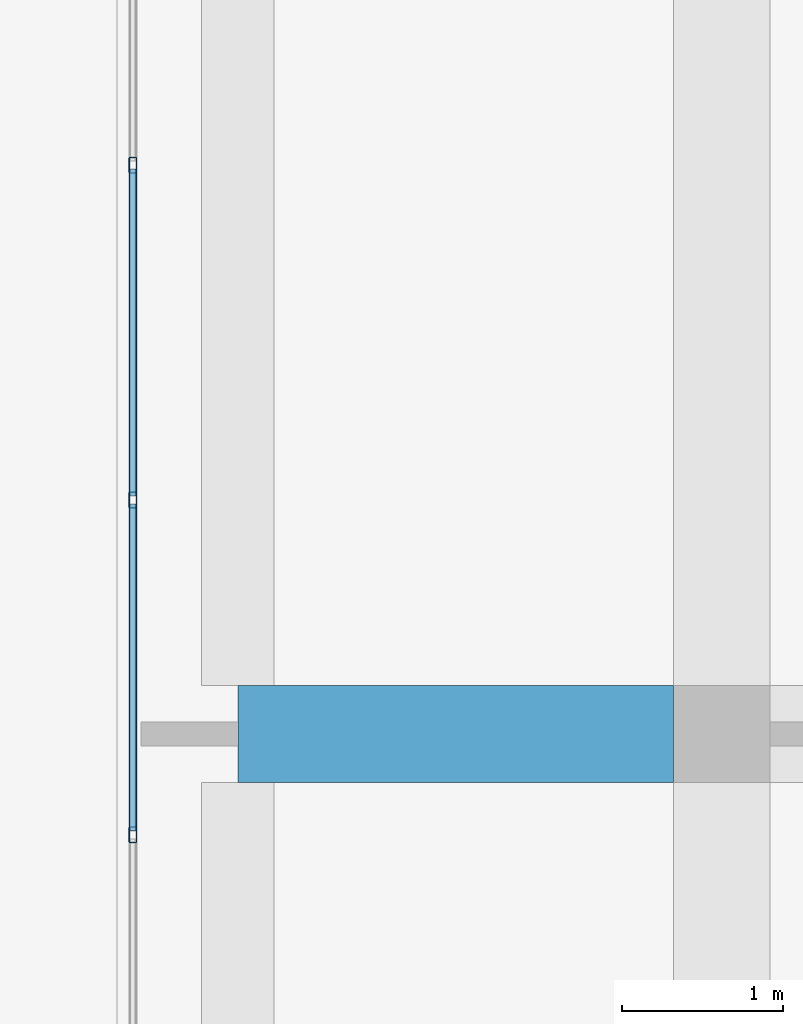
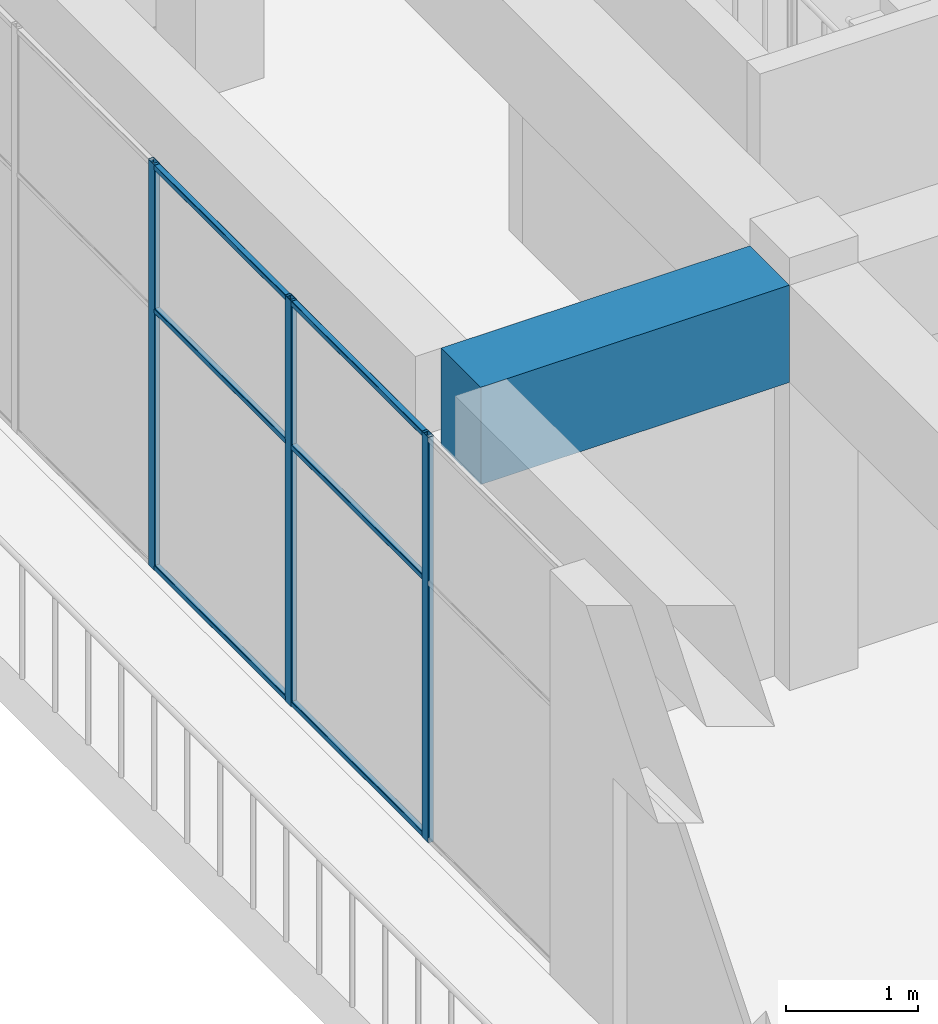
# One storey, part 9 of 32: 9 members, 1 beam, 1 element without a shape of its own.
"""IFC4 building model written with IfcOpenShell, lengths in metres."""

from ifc_helpers import new_model, si_unit, direction, frame, origin, origin_2d, place, context, subcontext, project, spatial, rectangle, hollow_rectangle, extrude, material, layer, layer_set, material_profile, profile_set, type_object, element, aggregate, save


model = new_model("IFC4")

# Units and contexts
model_context = context("Model", 3, precision=1e-05, world=origin(), true_north=direction((0.0, 1.0)))
body_context = subcontext(model_context, "Body", "Model", "MODEL_VIEW")
ifc_project = project(units=[si_unit("LENGTHUNIT", "METRE"), si_unit("AREAUNIT", "SQUARE_METRE"), si_unit("VOLUMEUNIT", "CUBIC_METRE"), si_unit("PLANEANGLEUNIT", "RADIAN"), si_unit("MASSUNIT", "GRAM", prefix="KILO")], contexts=[model_context])

# Site, building, storey
site_placement = place(None, origin())
site = spatial("IfcSite", under=ifc_project, at=site_placement, CompositionType="ELEMENT")
building_placement = place(site_placement, origin())
building = spatial("IfcBuilding", under=site, at=building_placement, Name="Tuart Plaza Theatre", CompositionType="ELEMENT")
storey_placement = place(building_placement, frame((0.0, 0.0, 41.5)))
storey = spatial("IfcBuildingStorey", under=building, at=storey_placement, Name="L10", CompositionType="ELEMENT", Elevation=41.5)

# Beam
ifc_material_1 = material(Name="Concrete N40 (40 MPa)", Category="concrete")
ifc_material_profile_1 = material_profile(ifc_material_1, rectangle(XDim=0.60009765625, YDim=0.89990234375, at=origin_2d()), Name="BEAM 600x900 Concrete N40 (40 MPa)")
ifc_profile_set_1 = profile_set([ifc_material_profile_1], Name="Concrete N40 (40 MPa)")
beam_type = type_object("IfcBeamType", Name="BEAM 600x900 Concrete N40 (40 MPa)", PredefinedType="BEAM", material=ifc_profile_set_1)
beam_placement = place(storey_placement, frame((111.0, 83.0, 3.300048828125), z_axis=(1.0, 0.0, 0.0), x_axis=(0.0, 1.0, 0.0)))
element("IfcBeam", 1, at=beam_placement, inside=storey, type_object=beam_type, Name="RB287", PredefinedType="BEAM", context=body_context, shape_type="SweptSolid", body=[
    extrude(rectangle(XDim=0.60009765625, YDim=0.89990234375, at=origin_2d()), origin(), (0.0, 0.0, 1.0), 2.699951171875),
])

# Curtain wall, members
ifc_material_2 = material(Name="Aluminium and glass", Category="aluminium")
ifc_layer = layer(ifc_material_2, 0.10009765625)
ifc_layer_set = layer_set([ifc_layer], Name="CURTAIN WALL 2000 module")
curtain_wall_type = type_object("IfcCurtainWallType", Name="CURTAIN WALL 2000 module", PredefinedType="NOTDEFINED", material=ifc_layer_set)
curtain_wall_placement = place(storey_placement, origin())
curtain_wall = element("IfcCurtainWall", 2, at=curtain_wall_placement, inside=storey, type_object=curtain_wall_type, Name="CW106", PredefinedType="NOTDEFINED")
ifc_material_3 = material(Name="Aluminium 6063-T5", Category="aluminium")
ifc_material_profile_2 = material_profile(ifc_material_3, hollow_rectangle(XDim=0.050048828125, YDim=0.10009765625, WallThickness=0.00390625, InnerFilletRadius=0.00390625, OuterFilletRadius=0.008056640625, at=origin_2d()), Name="RHS 100x50x4")
ifc_profile_set_2 = profile_set([ifc_material_profile_2], Name="Aluminium 6063-T5")
member_type_1 = type_object("IfcMemberType", Name="MULLION RHS 100x50x4", PredefinedType="MULLION", material=ifc_profile_set_2)
member_1_placement = place(storey_placement, frame((110.35009765625, 86.52490234375, 0.0), z_axis=(0.0, 0.0, 1.0), x_axis=(1.0, 0.0, 0.0)))
member_1 = element("IfcMember", 3, at=member_1_placement, type_object=member_type_1, Name="CW106 mullion 4", PredefinedType="MULLION", context=body_context, shape_type="SweptSolid", body=[
    extrude(hollow_rectangle(XDim=0.050048828125, YDim=0.10009765625, WallThickness=0.00390625, InnerFilletRadius=0.00390625, OuterFilletRadius=0.008056640625, at=origin_2d()), origin(), (0.0, 0.0, 1.0), 3.75),
])
member_2_placement = place(storey_placement, frame((110.35009765625, 84.449951171875, 0.0), z_axis=(0.0, 0.0, 1.0), x_axis=(1.0, 0.0, 0.0)))
member_2 = element("IfcMember", 4, at=member_2_placement, type_object=member_type_1, Name="CW106 mullion 5", PredefinedType="MULLION", context=body_context, shape_type="SweptSolid", body=[
    extrude(hollow_rectangle(XDim=0.050048828125, YDim=0.10009765625, WallThickness=0.00390625, InnerFilletRadius=0.00390625, OuterFilletRadius=0.008056640625, at=origin_2d()), origin(), (0.0, 0.0, 1.0), 3.75),
])
member_3_placement = place(storey_placement, frame((110.35009765625, 82.375, 0.0), z_axis=(0.0, 0.0, 1.0), x_axis=(1.0, 0.0, 0.0)))
member_3 = element("IfcMember", 5, at=member_3_placement, type_object=member_type_1, Name="CW106 mullion 6", PredefinedType="MULLION", context=body_context, shape_type="SweptSolid", body=[
    extrude(hollow_rectangle(XDim=0.050048828125, YDim=0.10009765625, WallThickness=0.00390625, InnerFilletRadius=0.00390625, OuterFilletRadius=0.008056640625, at=origin_2d()), origin(), (0.0, 0.0, 1.0), 3.75),
])
ifc_material_4 = material(Name="Aluminium 6063-T5", Category="aluminium")
ifc_material_profile_3 = material_profile(ifc_material_4, hollow_rectangle(XDim=0.050048828125, YDim=0.050048828125, WallThickness=0.00390625, InnerFilletRadius=0.00390625, OuterFilletRadius=0.008056640625, at=origin_2d()), Name="RHS 50x50x4")
ifc_profile_set_3 = profile_set([ifc_material_profile_3], Name="Aluminium 6063-T5")
member_type_2 = type_object("IfcMemberType", Name="TRANSOM RHS 50x50x4", PredefinedType="USERDEFINED", material=ifc_profile_set_3)
member_4_placement = place(storey_placement, frame((110.35009765625, 86.5, 0.02490234375), z_axis=(0.0, -1.0, 0.0), x_axis=(1.0, 0.0, 0.0)))
member_4 = element("IfcMember", 6, at=member_4_placement, type_object=member_type_2, Name="CW106 transom 4.1", ObjectType="TRANSOM", PredefinedType="USERDEFINED", context=body_context, shape_type="SweptSolid", body=[
    extrude(hollow_rectangle(XDim=0.050048828125, YDim=0.050048828125, WallThickness=0.00390625, InnerFilletRadius=0.00390625, OuterFilletRadius=0.008056640625, at=origin_2d()), origin(), (0.0, 0.0, 1.0), 2.02490234375),
])
member_5_placement = place(storey_placement, frame((110.35009765625, 86.5, 2.39990234375), z_axis=(0.0, -1.0, 0.0), x_axis=(1.0, 0.0, 0.0)))
member_5 = element("IfcMember", 7, at=member_5_placement, type_object=member_type_2, Name="CW106 transom 4.2", ObjectType="TRANSOM", PredefinedType="USERDEFINED", context=body_context, shape_type="SweptSolid", body=[
    extrude(hollow_rectangle(XDim=0.050048828125, YDim=0.050048828125, WallThickness=0.00390625, InnerFilletRadius=0.00390625, OuterFilletRadius=0.008056640625, at=origin_2d()), origin(), (0.0, 0.0, 1.0), 2.02490234375),
])
member_6_placement = place(storey_placement, frame((110.35009765625, 86.5, 3.72509765625), z_axis=(0.0, -1.0, 0.0), x_axis=(1.0, 0.0, 0.0)))
member_6 = element("IfcMember", 8, at=member_6_placement, type_object=member_type_2, Name="CW106 transom 4.3", ObjectType="TRANSOM", PredefinedType="USERDEFINED", context=body_context, shape_type="SweptSolid", body=[
    extrude(hollow_rectangle(XDim=0.050048828125, YDim=0.050048828125, WallThickness=0.00390625, InnerFilletRadius=0.00390625, OuterFilletRadius=0.008056640625, at=origin_2d()), origin(), (0.0, 0.0, 1.0), 2.02490234375),
])
member_7_placement = place(storey_placement, frame((110.35009765625, 84.425048828125, 0.02490234375), z_axis=(0.0, -1.0, 0.0), x_axis=(1.0, 0.0, 0.0)))
member_7 = element("IfcMember", 9, at=member_7_placement, type_object=member_type_2, Name="CW106 transom 5.1", ObjectType="TRANSOM", PredefinedType="USERDEFINED", context=body_context, shape_type="SweptSolid", body=[
    extrude(hollow_rectangle(XDim=0.050048828125, YDim=0.050048828125, WallThickness=0.00390625, InnerFilletRadius=0.00390625, OuterFilletRadius=0.008056640625, at=origin_2d()), origin(), (0.0, 0.0, 1.0), 2.025146484375),
])
member_8_placement = place(storey_placement, frame((110.35009765625, 84.425048828125, 2.39990234375), z_axis=(0.0, -1.0, 0.0), x_axis=(1.0, 0.0, 0.0)))
member_8 = element("IfcMember", 10, at=member_8_placement, type_object=member_type_2, Name="CW106 transom 5.2", ObjectType="TRANSOM", PredefinedType="USERDEFINED", context=body_context, shape_type="SweptSolid", body=[
    extrude(hollow_rectangle(XDim=0.050048828125, YDim=0.050048828125, WallThickness=0.00390625, InnerFilletRadius=0.00390625, OuterFilletRadius=0.008056640625, at=origin_2d()), origin(), (0.0, 0.0, 1.0), 2.025146484375),
])
member_9_placement = place(storey_placement, frame((110.35009765625, 84.425048828125, 3.72509765625), z_axis=(0.0, -1.0, 0.0), x_axis=(1.0, 0.0, 0.0)))
member_9 = element("IfcMember", 11, at=member_9_placement, type_object=member_type_2, Name="CW106 transom 5.3", ObjectType="TRANSOM", PredefinedType="USERDEFINED", context=body_context, shape_type="SweptSolid", body=[
    extrude(hollow_rectangle(XDim=0.050048828125, YDim=0.050048828125, WallThickness=0.00390625, InnerFilletRadius=0.00390625, OuterFilletRadius=0.008056640625, at=origin_2d()), origin(), (0.0, 0.0, 1.0), 2.025146484375),
])
aggregate(curtain_wall, [member_1, member_2, member_3, member_4, member_5, member_6, member_7, member_8, member_9])

save(model, "model.ifc")
